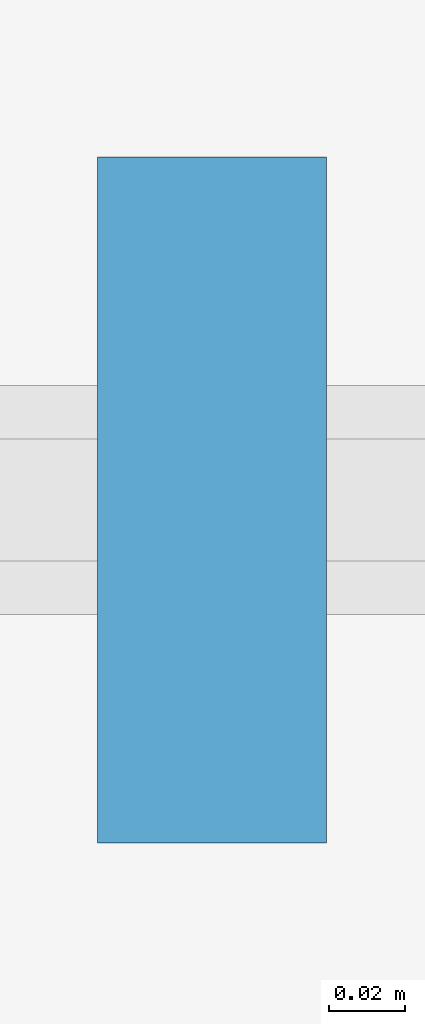
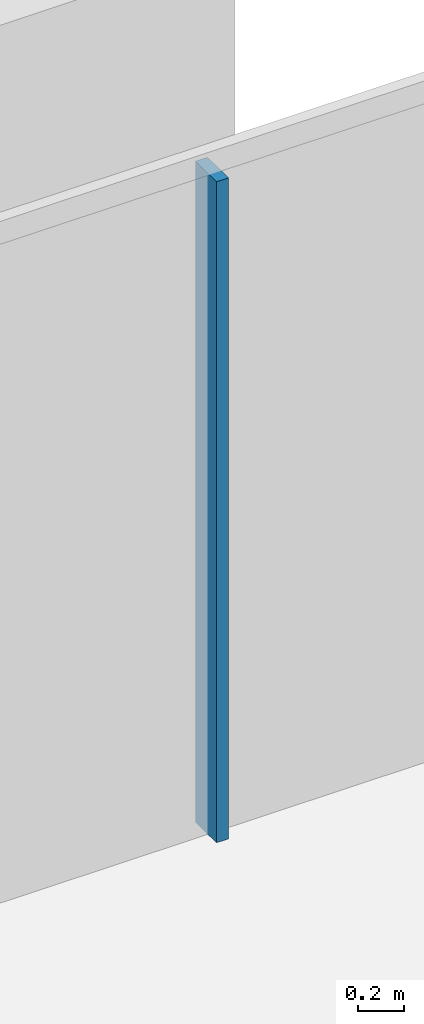
# One storey, part 9 of 29: 1 member, 1 element without a shape of its own.
"""IFC4 building model written with IfcOpenShell, lengths in metres."""

from ifc_helpers import new_model, si_unit, direction, frame, origin, origin_2d, place, context, subcontext, project, spatial, rectangle, extrude, material, layer, layer_set, material_profile, profile_set, type_object, element, aggregate, save


model = new_model("IFC4")

# Units and contexts
model_context = context("Model", 3, precision=1e-05, world=origin(), true_north=direction((0.0, 1.0)))
body_context = subcontext(model_context, "Body", "Model", "MODEL_VIEW")
ifc_project = project(units=[si_unit("LENGTHUNIT", "METRE"), si_unit("AREAUNIT", "SQUARE_METRE"), si_unit("VOLUMEUNIT", "CUBIC_METRE"), si_unit("PLANEANGLEUNIT", "RADIAN"), si_unit("MASSUNIT", "GRAM", prefix="KILO")], contexts=[model_context])

# Site, building, storey
site_placement = place(None, origin())
site = spatial("IfcSite", under=ifc_project, at=site_placement, CompositionType="ELEMENT")
building_placement = place(site_placement, origin())
building = spatial("IfcBuilding", under=site, at=building_placement, Name="Kawkab Arch Medical Tower", CompositionType="ELEMENT")
storey_placement = place(building_placement, frame((0.0, 0.0, 107.199951171875)))
storey = spatial("IfcBuildingStorey", under=building, at=storey_placement, Name="L24", CompositionType="ELEMENT", Elevation=107.199951171875)

# Curtain wall, member
ifc_material_1 = material(Name="Bronze anodised aluminium curtain wall frame", Category="aluminium")
ifc_layer = layer(ifc_material_1, 0.159912109375)
ifc_layer_set = layer_set([ifc_layer], Name="Bronze anodised aluminium curtain wall frame")
curtain_wall_type = type_object("IfcCurtainWallType", Name="CW1 ward curtain wall", PredefinedType="NOTDEFINED", material=ifc_layer_set)
curtain_wall_placement = place(storey_placement, origin())
curtain_wall = element("IfcCurtainWall", 1, at=curtain_wall_placement, inside=storey, type_object=curtain_wall_type, Name="CW1 Ward curtain wall R11", PredefinedType="NOTDEFINED")
ifc_material_2 = material(Name="Bronze anodised aluminium curtain wall frame", Category="aluminium")
ifc_material_profile = material_profile(ifc_material_2, rectangle(XDim=0.179931640625, YDim=0.06005859375, at=origin_2d()), Name="AL 60x180")
ifc_profile_set = profile_set([ifc_material_profile], Name="Bronze anodised aluminium curtain wall frame")
member_type = type_object("IfcMemberType", Name="CW1 mullion 60 x 180", PredefinedType="MULLION", material=ifc_profile_set)
member_placement = place(storey_placement, frame((35.42333984375, 6.0, 0.0), z_axis=(0.0, 0.0, 1.0), x_axis=(0.0, -1.0, 0.0)))
member = element("IfcMember", 2, at=member_placement, type_object=member_type, Name="CW1 mullion 2.8", PredefinedType="MULLION", context=body_context, shape_type="SweptSolid", body=[
    extrude(rectangle(XDim=0.179931640625, YDim=0.06005859375, at=origin_2d()), origin(), (0.0, 0.0, 1.0), 3.47998046875),
])
aggregate(curtain_wall, [member])

save(model, "model.ifc")
